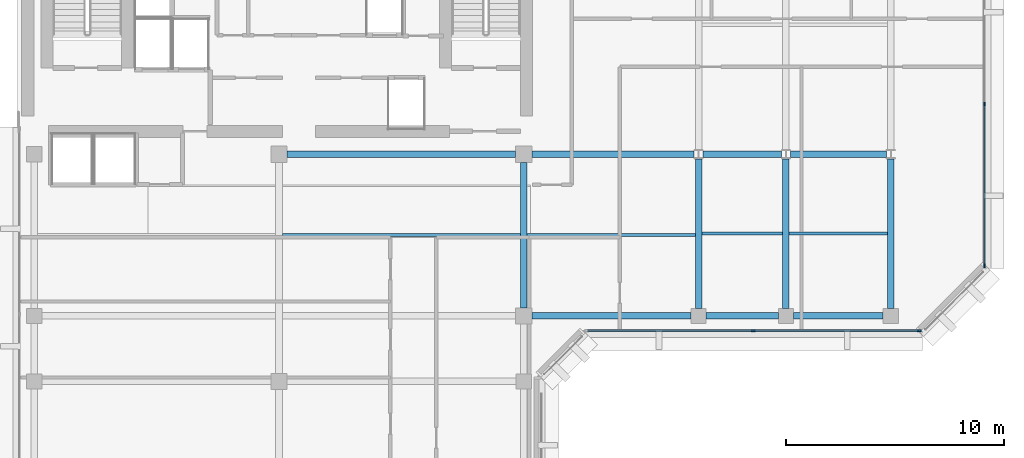
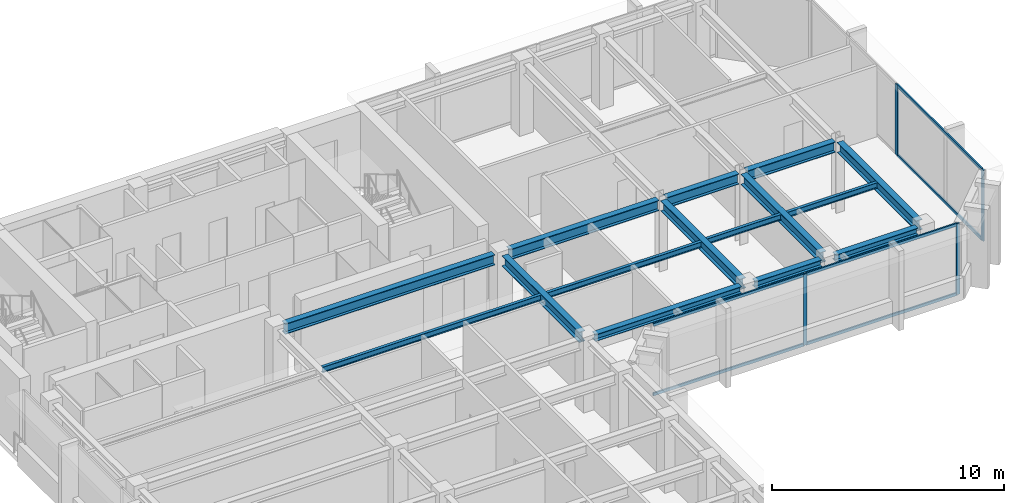
# One storey, part 3 of 13: 15 beams, 10 members, 2 elements without a shape of their own.
"""IFC4 building model written with IfcOpenShell, lengths in metres."""

from ifc_helpers import new_model, si_unit, direction, frame, origin, origin_2d, place, context, subcontext, project, spatial, rectangle, i_section, extrude, material, layer, layer_set, material_profile, profile_set, type_object, element, aggregate, save


model = new_model("IFC4")

# Units and contexts
model_context = context("Model", 3, precision=1e-05, world=origin(), true_north=direction((0.0, 1.0)))
body_context = subcontext(model_context, "Body", "Model", "MODEL_VIEW")
ifc_project = project(units=[si_unit("LENGTHUNIT", "METRE"), si_unit("AREAUNIT", "SQUARE_METRE"), si_unit("VOLUMEUNIT", "CUBIC_METRE"), si_unit("PLANEANGLEUNIT", "RADIAN"), si_unit("MASSUNIT", "GRAM", prefix="KILO")], contexts=[model_context])

# Site, building, storey
site_placement = place(None, origin())
site = spatial("IfcSite", under=ifc_project, at=site_placement, CompositionType="ELEMENT")
building_placement = place(site_placement, origin())
building = spatial("IfcBuilding", under=site, at=building_placement, Name="Kefirva Bronze Tower", CompositionType="ELEMENT")
storey_placement = place(building_placement, frame((0.0, 0.0, 311.85009765625)))
storey = spatial("IfcBuildingStorey", under=building, at=storey_placement, Name="L76", CompositionType="ELEMENT", Elevation=311.85009765625)

# Curtain wall, members
ifc_material_1 = material(Name="Bronze anodised aluminium", Category="aluminium")
ifc_layer = layer(ifc_material_1, 0.179931640625, Name="Bronze anodised aluminium")
ifc_layer_set = layer_set([ifc_layer], Name="Bronze anodised aluminium")
curtain_wall_type = type_object("IfcCurtainWallType", Name="Unitised Bronze Ribbon Curtain Wall Zone 4", PredefinedType="USERDEFINED", material=ifc_layer_set)
curtain_wall_1_placement = place(storey_placement, origin())
curtain_wall_1 = element("IfcCurtainWall", 1, at=curtain_wall_1_placement, inside=storey, type_object=curtain_wall_type, Name="L76 Curtain Wall 1", ObjectType="UNITISED CURTAIN WALL", PredefinedType="USERDEFINED")
ifc_material_profile_1 = material_profile(ifc_material_1, rectangle(XDim=0.074951171875, YDim=0.179931640625, at=origin_2d()), Name="ALU 75x180")
ifc_profile_set_1 = profile_set([ifc_material_profile_1], Name="Bronze anodised aluminium")
member_type_1 = type_object("IfcMemberType", Name="Bronze Mullion 75x180", PredefinedType="MULLION", material=ifc_profile_set_1)
member_1_placement = place(storey_placement, frame((33.699951171875, 25.1201171875, 0.0), z_axis=(0.0, 0.0, 1.0), x_axis=(0.0, 1.0, 0.0)))
member_1 = element("IfcMember", 2, at=member_1_placement, type_object=member_type_1, Name="CW-04 mullion 2", PredefinedType="MULLION", context=body_context, shape_type="SweptSolid", body=[
    extrude(rectangle(XDim=0.074951171875, YDim=0.179931640625, at=origin_2d()), origin(), (0.0, 0.0, 1.0), 3.739990234375),
])
member_2_placement = place(storey_placement, frame((41.3076171875, 25.1201171875, 0.0), z_axis=(0.0, 0.0, 1.0), x_axis=(0.0, 1.0, 0.0)))
member_2 = element("IfcMember", 3, at=member_2_placement, type_object=member_type_1, Name="CW-04 mullion 3", PredefinedType="MULLION", context=body_context, shape_type="SweptSolid", body=[
    extrude(rectangle(XDim=0.074951171875, YDim=0.179931640625, at=origin_2d()), origin(), (0.0, 0.0, 1.0), 3.739990234375),
])

curtain_wall_2_placement = place(storey_placement, origin())
curtain_wall_2 = element("IfcCurtainWall", 4, at=curtain_wall_2_placement, inside=storey, type_object=curtain_wall_type, Name="L76 Curtain Wall 2", ObjectType="UNITISED CURTAIN WALL", PredefinedType="USERDEFINED")
member_3_placement = place(storey_placement, frame((44.280029296875, 28.092529296875, 0.0), z_axis=(0.0, 0.0, 1.0), x_axis=(-1.0, 0.0, 0.0)))
member_3 = element("IfcMember", 5, at=member_3_placement, type_object=member_type_1, Name="CW-04 mullion 1", PredefinedType="MULLION", context=body_context, shape_type="SweptSolid", body=[
    extrude(rectangle(XDim=0.074951171875, YDim=0.179931640625, at=origin_2d()), origin(), (0.0, 0.0, 1.0), 3.739990234375),
])
member_4_placement = place(storey_placement, frame((44.280029296875, 35.5, 0.0), z_axis=(0.0, 0.0, 1.0), x_axis=(-1.0, 0.0, 0.0)))
member_4 = element("IfcMember", 6, at=member_4_placement, type_object=member_type_1, Name="CW-04 mullion 2", PredefinedType="MULLION", context=body_context, shape_type="SweptSolid", body=[
    extrude(rectangle(XDim=0.074951171875, YDim=0.179931640625, at=origin_2d()), origin(), (0.0, 0.0, 1.0), 3.739990234375),
])

# Member
ifc_material_profile_2 = material_profile(ifc_material_1, rectangle(XDim=0.074951171875, YDim=0.14990234375, at=origin_2d()), Name="ALU 75x150")
ifc_profile_set_2 = profile_set([ifc_material_profile_2], Name="Bronze anodised aluminium")
member_type_2 = type_object("IfcMemberType", Name="Bronze Transom 75x150", PredefinedType="USERDEFINED", material=ifc_profile_set_2)
member_5_placement = place(storey_placement, frame((26.1298828125, 25.1201171875, 0.037353515625), z_axis=(1.0, 0.0, 0.0), x_axis=(0.0, 1.0, 0.0)))
member_5 = element("IfcMember", 7, at=member_5_placement, type_object=member_type_2, Name="CW-04 transom 1.1", ObjectType="TRANSOM", PredefinedType="USERDEFINED", context=body_context, shape_type="SweptSolid", body=[
    extrude(rectangle(XDim=0.074951171875, YDim=0.14990234375, at=origin_2d()), origin(), (0.0, 0.0, 1.0), 7.53271484375),
])

member_6_placement = place(storey_placement, frame((26.1298828125, 25.1201171875, 3.702392578125), z_axis=(1.0, 0.0, 0.0), x_axis=(0.0, 1.0, 0.0)))
member_6 = element("IfcMember", 8, at=member_6_placement, type_object=member_type_2, Name="CW-04 transom 1.2", ObjectType="TRANSOM", PredefinedType="USERDEFINED", context=body_context, shape_type="SweptSolid", body=[
    extrude(rectangle(XDim=0.074951171875, YDim=0.14990234375, at=origin_2d()), origin(), (0.0, 0.0, 1.0), 7.53271484375),
])

member_7_placement = place(storey_placement, frame((33.737548828125, 25.1201171875, 0.037353515625), z_axis=(1.0, 0.0, 0.0), x_axis=(0.0, 1.0, 0.0)))
member_7 = element("IfcMember", 9, at=member_7_placement, type_object=member_type_2, Name="CW-04 transom 2.1", ObjectType="TRANSOM", PredefinedType="USERDEFINED", context=body_context, shape_type="SweptSolid", body=[
    extrude(rectangle(XDim=0.074951171875, YDim=0.14990234375, at=origin_2d()), origin(), (0.0, 0.0, 1.0), 7.532470703125),
])

member_8_placement = place(storey_placement, frame((33.737548828125, 25.1201171875, 3.702392578125), z_axis=(1.0, 0.0, 0.0), x_axis=(0.0, 1.0, 0.0)))
member_8 = element("IfcMember", 10, at=member_8_placement, type_object=member_type_2, Name="CW-04 transom 2.2", ObjectType="TRANSOM", PredefinedType="USERDEFINED", context=body_context, shape_type="SweptSolid", body=[
    extrude(rectangle(XDim=0.074951171875, YDim=0.14990234375, at=origin_2d()), origin(), (0.0, 0.0, 1.0), 7.532470703125),
])

aggregate(curtain_wall_1, [member_1, member_2, member_5, member_6, member_7, member_8])

member_9_placement = place(storey_placement, frame((44.280029296875, 28.1298828125, 0.037353515625), z_axis=(0.0, 1.0, 0.0), x_axis=(-1.0, 0.0, 0.0)))
member_9 = element("IfcMember", 11, at=member_9_placement, type_object=member_type_2, Name="CW-04 transom 1.1", ObjectType="TRANSOM", PredefinedType="USERDEFINED", context=body_context, shape_type="SweptSolid", body=[
    extrude(rectangle(XDim=0.074951171875, YDim=0.14990234375, at=origin_2d()), origin(), (0.0, 0.0, 1.0), 7.33251953125),
])

member_10_placement = place(storey_placement, frame((44.280029296875, 28.1298828125, 3.702392578125), z_axis=(0.0, 1.0, 0.0), x_axis=(-1.0, 0.0, 0.0)))
member_10 = element("IfcMember", 12, at=member_10_placement, type_object=member_type_2, Name="CW-04 transom 1.2", ObjectType="TRANSOM", PredefinedType="USERDEFINED", context=body_context, shape_type="SweptSolid", body=[
    extrude(rectangle(XDim=0.074951171875, YDim=0.14990234375, at=origin_2d()), origin(), (0.0, 0.0, 1.0), 7.33251953125),
])

aggregate(curtain_wall_2, [member_3, member_4, member_9, member_10])

# Beams
ifc_material_2 = material(Name="Steel S355", Category="steel")
ifc_material_profile_3 = material_profile(ifc_material_2, i_section(OverallWidth=0.14990234375, OverallDepth=0.300048828125, WebThickness=0.007080078125, FlangeThickness=0.0107421875, at=origin_2d()), Name="IPE 300")
ifc_profile_set_3 = profile_set([ifc_material_profile_3], Name="Steel S355")
beam_type_1 = type_object("IfcBeamType", Name="Steel Floor Joist IPE 300", PredefinedType="JOIST", material=ifc_profile_set_3)
beam_1_placement = place(storey_placement, frame((12.14990234375, 29.5, 3.58984375), z_axis=(1.0, 0.0, 0.0), x_axis=(0.0, 1.0, 0.0)))
element("IfcBeam", 13, at=beam_1_placement, inside=storey, type_object=beam_type_1, Name="L76 JST-L76-12-295", PredefinedType="JOIST", context=body_context, shape_type="SweptSolid", body=[
    extrude(i_section(OverallWidth=0.14990234375, OverallDepth=0.300048828125, WebThickness=0.007080078125, FlangeThickness=0.0107421875, at=origin_2d()), origin(), (0.0, 0.0, 1.0), 10.900146484375),
])
beam_2_placement = place(storey_placement, frame((23.35009765625, 29.5, 3.58984375), z_axis=(1.0, 0.0, 0.0), x_axis=(0.0, 1.0, 0.0)))
element("IfcBeam", 14, at=beam_2_placement, inside=storey, type_object=beam_type_1, Name="L76 JST-L76-23-295", PredefinedType="JOIST", context=body_context, shape_type="SweptSolid", body=[
    extrude(i_section(OverallWidth=0.14990234375, OverallDepth=0.300048828125, WebThickness=0.007080078125, FlangeThickness=0.0107421875, at=origin_2d()), origin(), (0.0, 0.0, 1.0), 7.699951171875),
])
beam_3_placement = place(storey_placement, frame((31.35009765625, 29.571044921875, 3.58984375), z_axis=(1.0, 0.0, 0.0), x_axis=(0.0, 1.0, 0.0)))
element("IfcBeam", 15, at=beam_3_placement, inside=storey, type_object=beam_type_1, Name="L76 JST-L76-31-295", PredefinedType="JOIST", context=body_context, shape_type="SweptSolid", body=[
    extrude(i_section(OverallWidth=0.14990234375, OverallDepth=0.300048828125, WebThickness=0.007080078125, FlangeThickness=0.0107421875, at=origin_2d()), origin(), (0.0, 0.0, 1.0), 3.699951171875),
])
beam_4_placement = place(storey_placement, frame((35.35009765625, 29.571044921875, 3.58984375), z_axis=(1.0, 0.0, 0.0), x_axis=(0.0, 1.0, 0.0)))
element("IfcBeam", 16, at=beam_4_placement, inside=storey, type_object=beam_type_1, Name="L76 JST-L76-35-295", PredefinedType="JOIST", context=body_context, shape_type="SweptSolid", body=[
    extrude(i_section(OverallWidth=0.14990234375, OverallDepth=0.300048828125, WebThickness=0.007080078125, FlangeThickness=0.0107421875, at=origin_2d()), origin(), (0.0, 0.0, 1.0), 4.5),
])
ifc_material_profile_4 = material_profile(ifc_material_2, i_section(OverallWidth=0.300048828125, OverallDepth=0.550048828125, WebThickness=0.014892578125, FlangeThickness=0.029052734375, at=origin_2d()), Name="HEB 550")
ifc_profile_set_4 = profile_set([ifc_material_profile_4], Name="Steel S355")
beam_type_2 = type_object("IfcBeamType", Name="Steel Girder HEB 550", PredefinedType="USERDEFINED", material=ifc_profile_set_4)
beam_5_placement = place(storey_placement, frame((12.3701171875, 33.199951171875, 3.46484375), z_axis=(1.0, 0.0, 0.0), x_axis=(0.0, 1.0, 0.0)))
element("IfcBeam", 17, at=beam_5_placement, inside=storey, type_object=beam_type_2, Name="L76 BM-L76-EW-12-332", ObjectType="GIRDER", PredefinedType="USERDEFINED", context=body_context, shape_type="SweptSolid", body=[
    extrude(i_section(OverallWidth=0.300048828125, OverallDepth=0.550048828125, WebThickness=0.014892578125, FlangeThickness=0.029052734375, at=origin_2d()), origin(), (0.0, 0.0, 1.0), 10.4599609375),
])
beam_6_placement = place(storey_placement, frame((23.570068359375, 33.199951171875, 3.46484375), z_axis=(1.0, 0.0, 0.0), x_axis=(0.0, 1.0, 0.0)))
element("IfcBeam", 18, at=beam_6_placement, inside=storey, type_object=beam_type_2, Name="L76 BM-L76-EW-23-332", ObjectType="GIRDER", PredefinedType="USERDEFINED", context=body_context, shape_type="SweptSolid", body=[
    extrude(i_section(OverallWidth=0.300048828125, OverallDepth=0.550048828125, WebThickness=0.014892578125, FlangeThickness=0.029052734375, at=origin_2d()), origin(), (0.0, 0.0, 1.0), 7.427001953125),
])
beam_7_placement = place(storey_placement, frame((31.403076171875, 33.199951171875, 3.46484375), z_axis=(1.0, 0.0, 0.0), x_axis=(0.0, 1.0, 0.0)))
element("IfcBeam", 19, at=beam_7_placement, inside=storey, type_object=beam_type_2, Name="L76 BM-L76-EW-31-332", ObjectType="GIRDER", PredefinedType="USERDEFINED", context=body_context, shape_type="SweptSolid", body=[
    extrude(i_section(OverallWidth=0.300048828125, OverallDepth=0.550048828125, WebThickness=0.014892578125, FlangeThickness=0.029052734375, at=origin_2d()), origin(), (0.0, 0.0, 1.0), 3.593994140625),
])
beam_8_placement = place(storey_placement, frame((35.403076171875, 33.199951171875, 3.46484375), z_axis=(1.0, 0.0, 0.0), x_axis=(0.0, 1.0, 0.0)))
element("IfcBeam", 20, at=beam_8_placement, inside=storey, type_object=beam_type_2, Name="L76 BM-L76-EW-35-332", ObjectType="GIRDER", PredefinedType="USERDEFINED", context=body_context, shape_type="SweptSolid", body=[
    extrude(i_section(OverallWidth=0.300048828125, OverallDepth=0.550048828125, WebThickness=0.014892578125, FlangeThickness=0.029052734375, at=origin_2d()), origin(), (0.0, 0.0, 1.0), 4.39404296875),
])
beam_9_placement = place(storey_placement, frame((23.199951171875, 26.169921875, 3.46484375), z_axis=(0.0, 1.0, 0.0), x_axis=(-1.0, 0.0, 0.0)))
element("IfcBeam", 21, at=beam_9_placement, inside=storey, type_object=beam_type_2, Name="L76 BM-L76-NS-232-25", ObjectType="GIRDER", PredefinedType="USERDEFINED", context=body_context, shape_type="SweptSolid", body=[
    extrude(i_section(OverallWidth=0.300048828125, OverallDepth=0.550048828125, WebThickness=0.014892578125, FlangeThickness=0.029052734375, at=origin_2d()), origin(), (0.0, 0.0, 1.0), 6.66015625),
])
for number, where, z_axis, x_axis, name in (
    (22, (31.199951171875, 26.14990234375, 3.46484375), (0.0, 1.0, 0.0), (-1.0, 0.0, 0.0), "L76 BM-L76-NS-312-25"),
    (23, (35.199951171875, 26.14990234375, 3.46484375), (0.0, 1.0, 0.0), (-1.0, 0.0, 0.0), "L76 BM-L76-NS-352-25"),
    (24, (40.0, 26.14990234375, 3.46484375), (0.0, 1.0, 0.0), (-1.0, 0.0, 0.0), "L76 BM-L76-NS-400-25"),
):
    element("IfcBeam", number, at=place(storey_placement, frame(where, z_axis=z_axis, x_axis=x_axis)), inside=storey, type_object=beam_type_2, Name=name, ObjectType="GIRDER", PredefinedType="USERDEFINED", context=body_context, shape_type="SweptSolid", body=[
        extrude(i_section(OverallWidth=0.300048828125, OverallDepth=0.550048828125, WebThickness=0.014892578125, FlangeThickness=0.029052734375, at=origin_2d()), origin(), (0.0, 0.0, 1.0), 6.842041015625),
    ])
ifc_material_profile_5 = material_profile(ifc_material_2, i_section(OverallWidth=0.300048828125, OverallDepth=0.360107421875, WebThickness=0.012451171875, FlangeThickness=0.0224609375, at=origin_2d()), Name="HEB 360")
ifc_profile_set_5 = profile_set([ifc_material_profile_5], Name="Steel S355")
beam_type_3 = type_object("IfcBeamType", Name="Steel Spandrel HEB 360 Ext", PredefinedType="SPANDREL", material=ifc_profile_set_5)
beam_10_placement = place(storey_placement, frame((23.570068359375, 25.800048828125, 3.559814453125), z_axis=(1.0, 0.0, 0.0), x_axis=(0.0, 1.0, 0.0)))
element("IfcBeam", 25, at=beam_10_placement, inside=storey, type_object=beam_type_3, Name="L76 BM-L76-EW-23-258", PredefinedType="SPANDREL", context=body_context, shape_type="SweptSolid", body=[
    extrude(i_section(OverallWidth=0.300048828125, OverallDepth=0.360107421875, WebThickness=0.012451171875, FlangeThickness=0.0224609375, at=origin_2d()), origin(), (0.0, 0.0, 1.0), 7.280029296875),
])
beam_11_placement = place(storey_placement, frame((31.550048828125, 25.800048828125, 3.559814453125), z_axis=(1.0, 0.0, 0.0), x_axis=(0.0, 1.0, 0.0)))
element("IfcBeam", 26, at=beam_11_placement, inside=storey, type_object=beam_type_3, Name="L76 BM-L76-EW-31-258", PredefinedType="SPANDREL", context=body_context, shape_type="SweptSolid", body=[
    extrude(i_section(OverallWidth=0.300048828125, OverallDepth=0.360107421875, WebThickness=0.012451171875, FlangeThickness=0.0224609375, at=origin_2d()), origin(), (0.0, 0.0, 1.0), 3.300048828125),
])
beam_12_placement = place(storey_placement, frame((35.550048828125, 25.800048828125, 3.559814453125), z_axis=(1.0, 0.0, 0.0), x_axis=(0.0, 1.0, 0.0)))
element("IfcBeam", 27, at=beam_12_placement, inside=storey, type_object=beam_type_3, Name="L76 BM-L76-EW-35-258", PredefinedType="SPANDREL", context=body_context, shape_type="SweptSolid", body=[
    extrude(i_section(OverallWidth=0.300048828125, OverallDepth=0.360107421875, WebThickness=0.012451171875, FlangeThickness=0.0224609375, at=origin_2d()), origin(), (0.0, 0.0, 1.0), 4.099853515625),
])

save(model, "model.ifc")
